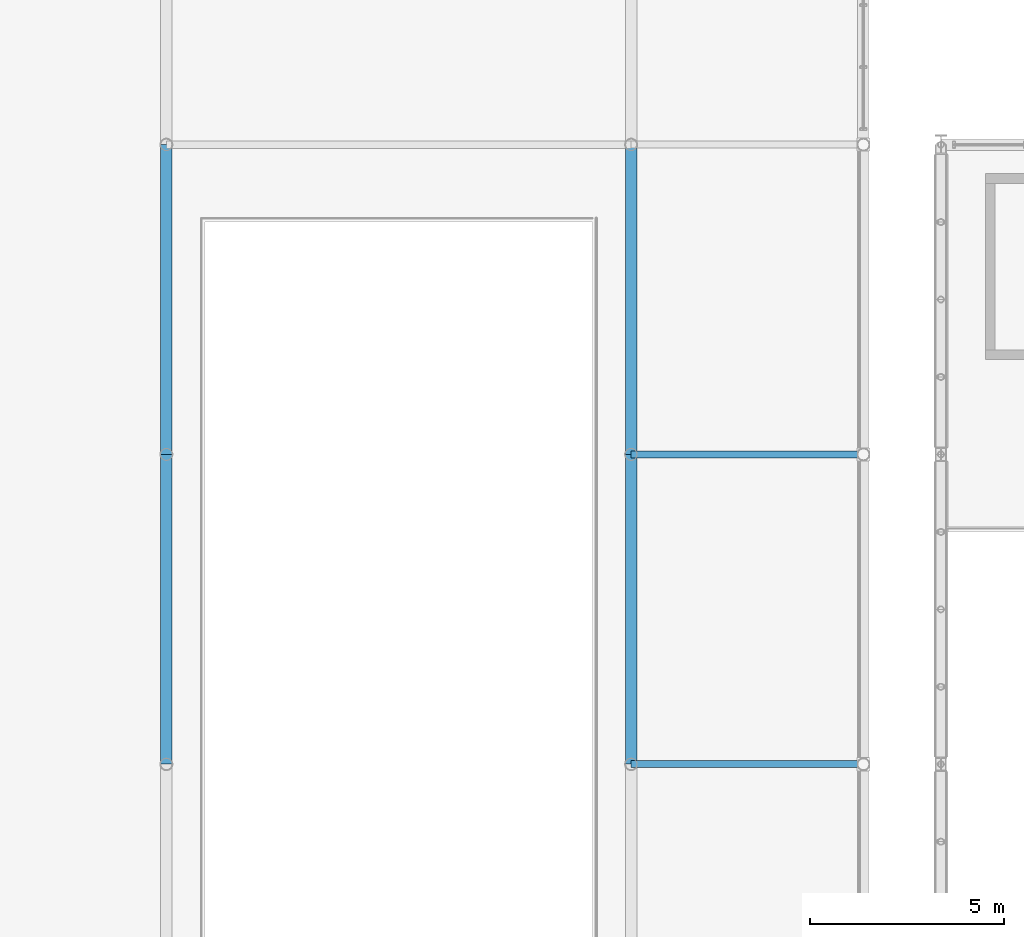
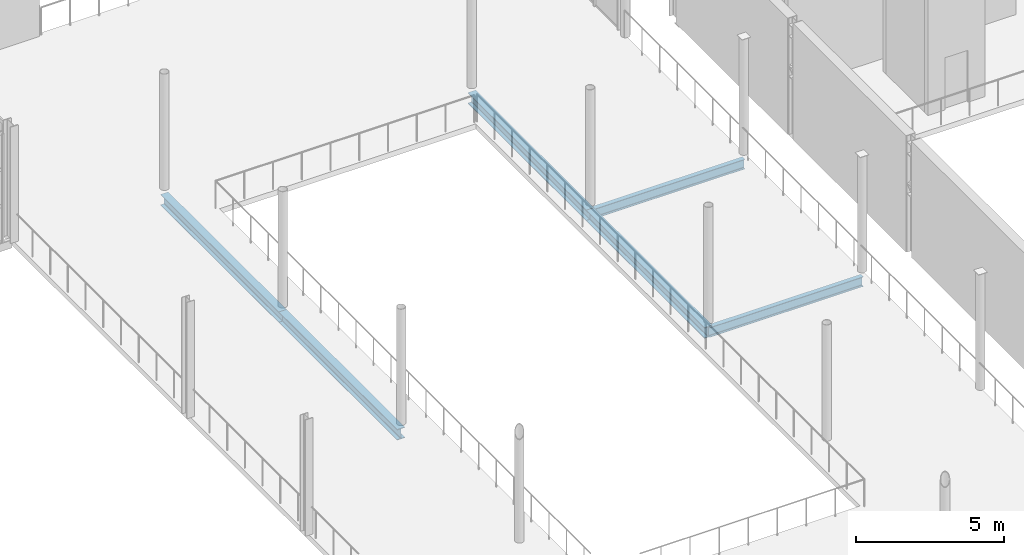
# One storey, part 45 of 143: 6 beams.
"""IFC4 building model written with IfcOpenShell, lengths in metres."""

from ifc_helpers import new_model, si_unit, derived_unit, direction, frame, origin, origin_2d, place, context, subcontext, project, spatial, i_section, extrude, material, material_profile, profile_set, type_object, element, save


model = new_model("IFC4")

# Units and contexts
model_context = context("Model", 3, precision=1e-05, world=origin(), true_north=direction((0.0, 1.0)))
body_context = subcontext(model_context, "Body", "Model", "MODEL_VIEW")
ifc_project = project(units=[si_unit("LENGTHUNIT", "METRE"), si_unit("AREAUNIT", "SQUARE_METRE"), si_unit("VOLUMEUNIT", "CUBIC_METRE"), si_unit("PLANEANGLEUNIT", "RADIAN"), si_unit("MASSUNIT", "GRAM", prefix="KILO"), derived_unit("THERMALTRANSMITTANCEUNIT", [(si_unit("POWERUNIT", "WATT"), 1), (si_unit("LENGTHUNIT", "METRE"), -2), (si_unit("THERMODYNAMICTEMPERATUREUNIT", "KELVIN"), -1)])], contexts=[model_context])

# Site, building, storey
site_placement = place(None, origin())
site = spatial("IfcSite", under=ifc_project, at=site_placement, CompositionType="ELEMENT")
building_placement = place(site_placement, origin())
building = spatial("IfcBuilding", under=site, at=building_placement, Name="Keldorne Ridge Multi-Sports Centre", CompositionType="ELEMENT")
storey_placement = place(building_placement, frame((0.0, 0.0, 4.800048828125)))
storey = spatial("IfcBuildingStorey", under=building, at=storey_placement, Name="L01", CompositionType="ELEMENT", Elevation=4.800048828125)

# Beams
ifc_material = material(Name="Steel S355", Category="steel")
ifc_material_profile_1 = material_profile(ifc_material, i_section(OverallWidth=0.179931640625, OverallDepth=0.39990234375, WebThickness=0.008544921875, FlangeThickness=0.013427734375, FilletRadius=0.02099609375, at=origin_2d()), Name="IPE 400")
ifc_profile_set_1 = profile_set([ifc_material_profile_1], Name="Steel S355")
beam_type_1 = type_object("IfcBeamType", Name="BM-B-04", PredefinedType="BEAM", material=ifc_profile_set_1)
for number, where, z_axis, x_axis, name in (
    (1, (96.0, 38.0, -0.420166015625), (1.0, 0.0, 0.0), (0.0, 1.0, 0.0), "L01 east gallery beam 5"),
    (2, (96.0, 46.0, -0.420166015625), (1.0, 0.0, 0.0), (0.0, 1.0, 0.0), "L01 east gallery beam 6"),
):
    element("IfcBeam", number, at=place(storey_placement, frame(where, z_axis=z_axis, x_axis=x_axis)), inside=storey, type_object=beam_type_1, Name=name, PredefinedType="BEAM", context=body_context, shape_type="SweptSolid", body=[
        extrude(i_section(OverallWidth=0.179931640625, OverallDepth=0.39990234375, WebThickness=0.008544921875, FlangeThickness=0.013427734375, FilletRadius=0.02099609375, at=origin_2d()), origin(), (0.0, 0.0, 1.0), 6.0),
    ])
ifc_material_profile_2 = material_profile(ifc_material, i_section(OverallWidth=0.300048828125, OverallDepth=0.449951171875, WebThickness=0.013916015625, FlangeThickness=0.02587890625, FilletRadius=0.027099609375, at=origin_2d()), Name="HEB 450")
ifc_profile_set_2 = profile_set([ifc_material_profile_2], Name="Steel S355")
beam_type_2 = type_object("IfcBeamType", Name="BM-B-11", PredefinedType="BEAM", material=ifc_profile_set_2)
for number, where, z_axis, x_axis, name in (
    (3, (84.0, 38.0, -0.445068359375), (0.0, 1.0, 0.0), (-1.0, 0.0, 0.0), "L01 passage girder G12.5"),
    (4, (96.0, 38.0, -0.445068359375), (0.0, 1.0, 0.0), (-1.0, 0.0, 0.0), "L01 passage girder G14.5"),
    (5, (84.0, 46.0, -0.445068359375), (0.0, 1.0, 0.0), (-1.0, 0.0, 0.0), "L01 passage girder G12.6"),
    (6, (96.0, 46.0, -0.445068359375), (0.0, 1.0, 0.0), (-1.0, 0.0, 0.0), "L01 passage girder G14.6"),
):
    element("IfcBeam", number, at=place(storey_placement, frame(where, z_axis=z_axis, x_axis=x_axis)), inside=storey, type_object=beam_type_2, Name=name, PredefinedType="BEAM", context=body_context, shape_type="SweptSolid", body=[
        extrude(i_section(OverallWidth=0.300048828125, OverallDepth=0.449951171875, WebThickness=0.013916015625, FlangeThickness=0.02587890625, FilletRadius=0.027099609375, at=origin_2d()), origin(), (0.0, 0.0, 1.0), 8.0),
    ])

save(model, "model.ifc")
